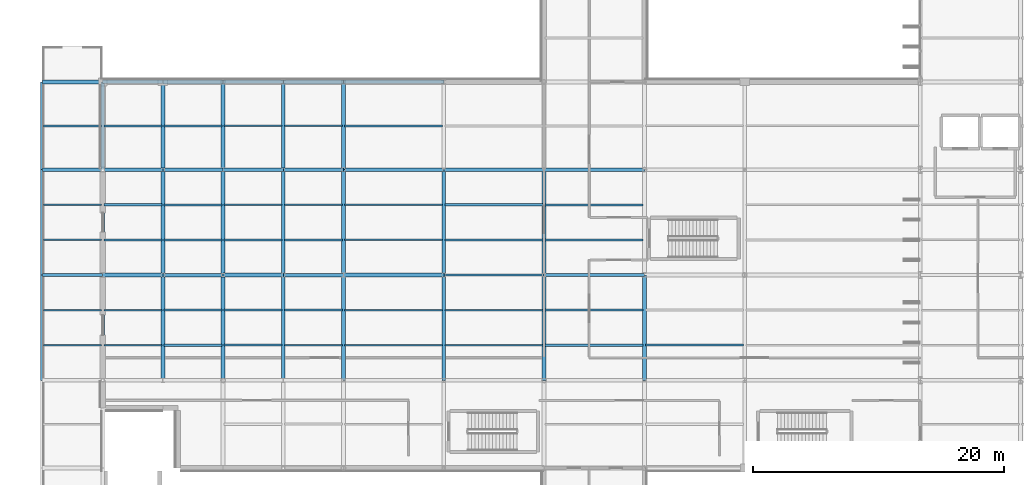
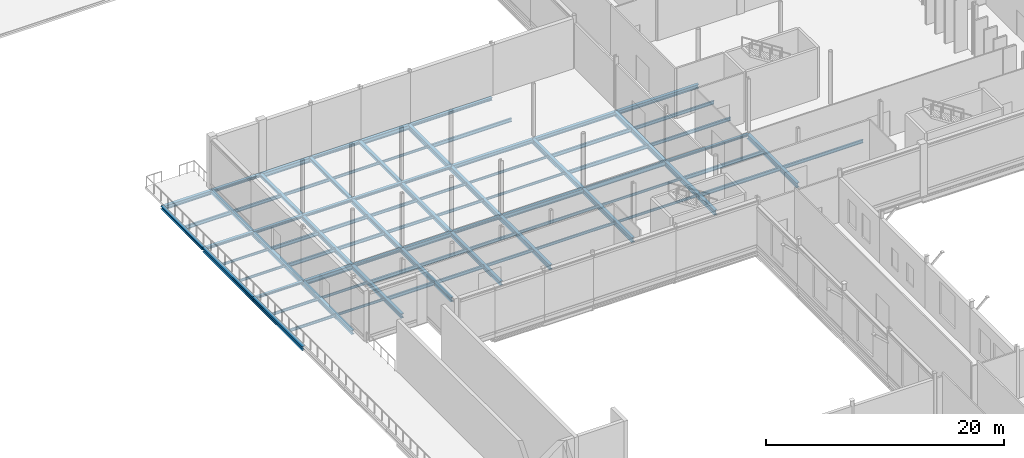
# One storey, part 47 of 147: 84 beams.
"""IFC4 building model written with IfcOpenShell, lengths in metres."""

from ifc_helpers import new_model, si_unit, direction, frame, origin, origin_2d, place, context, subcontext, project, spatial, i_section, extrude, material, material_profile, profile_set, type_object, element, save


model = new_model("IFC4")

# Units and contexts
model_context = context("Model", 3, precision=1e-05, world=origin(), true_north=direction((0.0, 1.0)))
body_context = subcontext(model_context, "Body", "Model", "MODEL_VIEW")
ifc_project = project(units=[si_unit("LENGTHUNIT", "METRE"), si_unit("AREAUNIT", "SQUARE_METRE"), si_unit("VOLUMEUNIT", "CUBIC_METRE"), si_unit("PLANEANGLEUNIT", "RADIAN"), si_unit("MASSUNIT", "GRAM", prefix="KILO")], contexts=[model_context])

# Site, building, storey
site_placement = place(None, origin())
site = spatial("IfcSite", under=ifc_project, at=site_placement, CompositionType="ELEMENT")
building_placement = place(site_placement, origin())
building = spatial("IfcBuilding", under=site, at=building_placement, Name="Vekula Escarpment Museum", CompositionType="ELEMENT")
storey_placement = place(building_placement, frame((0.0, 0.0, 7.800048828125)))
storey = spatial("IfcBuildingStorey", under=building, at=storey_placement, Name="L02", CompositionType="ELEMENT", Elevation=7.800048828125)

# Beams
ifc_material_1 = material(Name="Steel S355", Category="steel")
ifc_material_profile_1 = material_profile(ifc_material_1, i_section(OverallWidth=0.280029296875, OverallDepth=0.280029296875, WebThickness=0.010498046875, FlangeThickness=0.01806640625, FilletRadius=0.02392578125, at=origin_2d()), Name="HEB 280")
ifc_profile_set_1 = profile_set([ifc_material_profile_1], Name="Steel S355")
beam_type_1 = type_object("IfcBeamType", Name="BM-GIRD-HEB280", PredefinedType="BEAM", material=ifc_profile_set_1)
beam_1_placement = place(storey_placement, frame((9.60009765625, 68.0, -0.400146484375), z_axis=(1.0, 0.0, 0.0), x_axis=(0.0, 1.0, 0.0)))
element("IfcBeam", 1, at=beam_1_placement, inside=storey, type_object=beam_type_1, Name="Beam X L02 0889", PredefinedType="BEAM", context=body_context, shape_type="SweptSolid", body=[
    extrude(i_section(OverallWidth=0.280029296875, OverallDepth=0.280029296875, WebThickness=0.010498046875, FlangeThickness=0.01806640625, FilletRadius=0.02392578125, at=origin_2d()), origin(), (0.0, 0.0, 1.0), 4.7998046875),
])
for number, where, z_axis, x_axis, name in (
    (2, (19.199951171875, 68.0, -0.400146484375), (1.0, 0.0, 0.0), (0.0, 1.0, 0.0), "Beam X L02 0891"),
    (3, (4.800048828125, 83.39990234375, -0.400146484375), (1.0, 0.0, 0.0), (0.0, 1.0, 0.0), "Beam X L02 0931"),
    (4, (14.39990234375, 83.39990234375, -0.400146484375), (1.0, 0.0, 0.0), (0.0, 1.0, 0.0), "Beam X L02 0933"),
):
    element("IfcBeam", number, at=place(storey_placement, frame(where, z_axis=z_axis, x_axis=x_axis)), inside=storey, type_object=beam_type_1, Name=name, PredefinedType="BEAM", context=body_context, shape_type="SweptSolid", body=[
        extrude(i_section(OverallWidth=0.280029296875, OverallDepth=0.280029296875, WebThickness=0.010498046875, FlangeThickness=0.01806640625, FilletRadius=0.02392578125, at=origin_2d()), origin(), (0.0, 0.0, 1.0), 4.800048828125),
    ])
beam_2_placement = place(storey_placement, frame((24.0, 83.39990234375, -0.400146484375), z_axis=(1.0, 0.0, 0.0), x_axis=(0.0, 1.0, 0.0)))
element("IfcBeam", 5, at=beam_2_placement, inside=storey, type_object=beam_type_1, Name="Beam X L02 0935", PredefinedType="BEAM", context=body_context, shape_type="SweptSolid", body=[
    extrude(i_section(OverallWidth=0.280029296875, OverallDepth=0.280029296875, WebThickness=0.010498046875, FlangeThickness=0.01806640625, FilletRadius=0.02392578125, at=origin_2d()), origin(), (0.0, 0.0, 1.0), 8.0),
])
ifc_material_2 = material(Name="Steel S355", Category="steel")
ifc_material_profile_2 = material_profile(ifc_material_2, i_section(OverallWidth=0.300048828125, OverallDepth=0.39990234375, WebThickness=0.013427734375, FlangeThickness=0.02392578125, FilletRadius=0.027099609375, at=origin_2d()), Name="HEB 400")
ifc_profile_set_2 = profile_set([ifc_material_profile_2], Name="Steel S355")
beam_type_2 = type_object("IfcBeamType", Name="BM-GIRD-HEB400", PredefinedType="BEAM", material=ifc_profile_set_2)
beam_3_placement = place(storey_placement, frame((0.0, 83.39990234375, -0.4599609375), z_axis=(1.0, 0.0, 0.0), x_axis=(0.0, 1.0, 0.0)))
element("IfcBeam", 6, at=beam_3_placement, inside=storey, type_object=beam_type_2, Name="Beam X L02 0930", PredefinedType="BEAM", context=body_context, shape_type="SweptSolid", body=[
    extrude(i_section(OverallWidth=0.300048828125, OverallDepth=0.39990234375, WebThickness=0.013427734375, FlangeThickness=0.02392578125, FilletRadius=0.027099609375, at=origin_2d()), origin(), (0.0, 0.0, 1.0), 4.800048828125),
])
ifc_material_3 = material(Name="Steel S355", Category="steel")
ifc_material_profile_3 = material_profile(ifc_material_3, i_section(OverallWidth=0.300048828125, OverallDepth=0.449951171875, WebThickness=0.013916015625, FlangeThickness=0.02587890625, FilletRadius=0.027099609375, at=origin_2d()), Name="HEB 450")
ifc_profile_set_3 = profile_set([ifc_material_profile_3], Name="Steel S355")
beam_type_3 = type_object("IfcBeamType", Name="BM-GIRD-HEB450", PredefinedType="BEAM", material=ifc_profile_set_3)
for number, where, z_axis, x_axis, name in (
    (7, (4.800048828125, 68.0, -0.485107421875), (1.0, 0.0, 0.0), (0.0, 1.0, 0.0), "Beam X L02 0888"),
    (8, (14.39990234375, 68.0, -0.485107421875), (1.0, 0.0, 0.0), (0.0, 1.0, 0.0), "Beam X L02 0890"),
):
    element("IfcBeam", number, at=place(storey_placement, frame(where, z_axis=z_axis, x_axis=x_axis)), inside=storey, type_object=beam_type_3, Name=name, PredefinedType="BEAM", context=body_context, shape_type="SweptSolid", body=[
        extrude(i_section(OverallWidth=0.300048828125, OverallDepth=0.449951171875, WebThickness=0.013916015625, FlangeThickness=0.02587890625, FilletRadius=0.027099609375, at=origin_2d()), origin(), (0.0, 0.0, 1.0), 4.800048828125),
    ])
beam_4_placement = place(storey_placement, frame((24.0, 68.0, -0.485107421875), z_axis=(1.0, 0.0, 0.0), x_axis=(0.0, 1.0, 0.0)))
element("IfcBeam", 9, at=beam_4_placement, inside=storey, type_object=beam_type_3, Name="Beam X L02 0892", PredefinedType="BEAM", context=body_context, shape_type="SweptSolid", body=[
    extrude(i_section(OverallWidth=0.300048828125, OverallDepth=0.449951171875, WebThickness=0.013916015625, FlangeThickness=0.02587890625, FilletRadius=0.027099609375, at=origin_2d()), origin(), (0.0, 0.0, 1.0), 8.0),
])
beam_5_placement = place(storey_placement, frame((9.60009765625, 83.39990234375, -0.485107421875), z_axis=(1.0, 0.0, 0.0), x_axis=(0.0, 1.0, 0.0)))
element("IfcBeam", 10, at=beam_5_placement, inside=storey, type_object=beam_type_3, Name="Beam X L02 0932", PredefinedType="BEAM", context=body_context, shape_type="SweptSolid", body=[
    extrude(i_section(OverallWidth=0.300048828125, OverallDepth=0.449951171875, WebThickness=0.013916015625, FlangeThickness=0.02587890625, FilletRadius=0.027099609375, at=origin_2d()), origin(), (0.0, 0.0, 1.0), 4.7998046875),
])
beam_6_placement = place(storey_placement, frame((19.199951171875, 83.39990234375, -0.485107421875), z_axis=(1.0, 0.0, 0.0), x_axis=(0.0, 1.0, 0.0)))
element("IfcBeam", 11, at=beam_6_placement, inside=storey, type_object=beam_type_3, Name="Beam X L02 0934", PredefinedType="BEAM", context=body_context, shape_type="SweptSolid", body=[
    extrude(i_section(OverallWidth=0.300048828125, OverallDepth=0.449951171875, WebThickness=0.013916015625, FlangeThickness=0.02587890625, FilletRadius=0.027099609375, at=origin_2d()), origin(), (0.0, 0.0, 1.0), 4.800048828125),
])
ifc_material_4 = material(Name="Steel S355", Category="steel")
ifc_material_profile_4 = material_profile(ifc_material_4, i_section(OverallWidth=0.300048828125, OverallDepth=0.5, WebThickness=0.014404296875, FlangeThickness=0.028076171875, FilletRadius=0.027099609375, at=origin_2d()), Name="HEB 500")
ifc_profile_set_4 = profile_set([ifc_material_profile_4], Name="Steel S355")
beam_type_4 = type_object("IfcBeamType", Name="BM-GIRD-HEB500", PredefinedType="BEAM", material=ifc_profile_set_4)
for number, where, z_axis, x_axis, name in (
    (12, (24.0, 59.60009765625, -0.510009765625), (0.0, 1.0, 0.0), (-1.0, 0.0, 0.0), "Beam Y L02 1063"),
    (13, (24.0, 68.0, -0.510009765625), (0.0, 1.0, 0.0), (-1.0, 0.0, 0.0), "Beam Y L02 1064"),
):
    element("IfcBeam", number, at=place(storey_placement, frame(where, z_axis=z_axis, x_axis=x_axis)), inside=storey, type_object=beam_type_4, Name=name, PredefinedType="BEAM", context=body_context, shape_type="SweptSolid", body=[
        extrude(i_section(OverallWidth=0.300048828125, OverallDepth=0.5, WebThickness=0.014404296875, FlangeThickness=0.028076171875, FilletRadius=0.027099609375, at=origin_2d()), origin(), (0.0, 0.0, 1.0), 8.39990234375),
    ])
beam_7_placement = place(storey_placement, frame((24.0, 76.39990234375, -0.510009765625), z_axis=(0.0, 1.0, 0.0), x_axis=(-1.0, 0.0, 0.0)))
element("IfcBeam", 14, at=beam_7_placement, inside=storey, type_object=beam_type_4, Name="Beam Y L02 1065", PredefinedType="BEAM", context=body_context, shape_type="SweptSolid", body=[
    extrude(i_section(OverallWidth=0.300048828125, OverallDepth=0.5, WebThickness=0.014404296875, FlangeThickness=0.028076171875, FilletRadius=0.027099609375, at=origin_2d()), origin(), (0.0, 0.0, 1.0), 7.0),
])
for number, where, z_axis, x_axis, name in (
    (15, (32.0, 59.60009765625, -0.510009765625), (0.0, 1.0, 0.0), (-1.0, 0.0, 0.0), "Beam Y L02 1073"),
    (16, (32.0, 68.0, -0.510009765625), (0.0, 1.0, 0.0), (-1.0, 0.0, 0.0), "Beam Y L02 1074"),
    (17, (40.0, 59.60009765625, -0.510009765625), (0.0, 1.0, 0.0), (-1.0, 0.0, 0.0), "Beam Y L02 1087"),
    (18, (40.0, 68.0, -0.510009765625), (0.0, 1.0, 0.0), (-1.0, 0.0, 0.0), "Beam Y L02 1088"),
    (19, (48.0, 59.60009765625, -0.510009765625), (0.0, 1.0, 0.0), (-1.0, 0.0, 0.0), "Beam Y L02 1105"),
):
    element("IfcBeam", number, at=place(storey_placement, frame(where, z_axis=z_axis, x_axis=x_axis)), inside=storey, type_object=beam_type_4, Name=name, PredefinedType="BEAM", context=body_context, shape_type="SweptSolid", body=[
        extrude(i_section(OverallWidth=0.300048828125, OverallDepth=0.5, WebThickness=0.014404296875, FlangeThickness=0.028076171875, FilletRadius=0.027099609375, at=origin_2d()), origin(), (0.0, 0.0, 1.0), 8.39990234375),
    ])
ifc_material_5 = material(Name="Steel S355", Category="steel")
ifc_material_profile_5 = material_profile(ifc_material_5, i_section(OverallWidth=0.18994140625, OverallDepth=0.449951171875, WebThickness=0.009521484375, FlangeThickness=0.0146484375, FilletRadius=0.02099609375, at=origin_2d()), Name="IPE 450")
ifc_profile_set_5 = profile_set([ifc_material_profile_5], Name="Steel S355")
beam_type_5 = type_object("IfcBeamType", Name="BM-GIRD-IPE450", PredefinedType="BEAM", material=ifc_profile_set_5)
beam_8_placement = place(storey_placement, frame((32.0, 68.0, -0.485107421875), z_axis=(1.0, 0.0, 0.0), x_axis=(0.0, 1.0, 0.0)))
element("IfcBeam", 20, at=beam_8_placement, inside=storey, type_object=beam_type_5, Name="Beam X L02 0893", PredefinedType="BEAM", context=body_context, shape_type="SweptSolid", body=[
    extrude(i_section(OverallWidth=0.18994140625, OverallDepth=0.449951171875, WebThickness=0.009521484375, FlangeThickness=0.0146484375, FilletRadius=0.02099609375, at=origin_2d()), origin(), (0.0, 0.0, 1.0), 8.0),
])
ifc_material_6 = material(Name="Steel S355", Category="steel")
ifc_material_profile_6 = material_profile(ifc_material_6, i_section(OverallWidth=0.1201171875, OverallDepth=0.239990234375, WebThickness=0.006103515625, FlangeThickness=0.009765625, FilletRadius=0.014892578125, at=origin_2d()), Name="IPE 240")
ifc_profile_set_6 = profile_set([ifc_material_profile_6], Name="Steel S355")
beam_type_6 = type_object("IfcBeamType", Name="BM-JST-IPE240", PredefinedType="JOIST", material=ifc_profile_set_6)
for number, where, z_axis, x_axis, name in (
    (21, (0.090087890625, 70.800048828125, -0.380126953125), (1.0, 0.0, 0.0), (0.0, 1.0, 0.0), "Secondary Joist L02 0605"),
    (22, (0.090087890625, 73.60009765625, -0.380126953125), (1.0, 0.0, 0.0), (0.0, 1.0, 0.0), "Secondary Joist L02 0606"),
):
    element("IfcBeam", number, at=place(storey_placement, frame(where, z_axis=z_axis, x_axis=x_axis)), inside=storey, type_object=beam_type_6, Name=name, PredefinedType="JOIST", context=body_context, shape_type="SweptSolid", body=[
        extrude(i_section(OverallWidth=0.1201171875, OverallDepth=0.239990234375, WebThickness=0.006103515625, FlangeThickness=0.009765625, FilletRadius=0.014892578125, at=origin_2d()), origin(), (0.0, 0.0, 1.0), 4.619873046875),
    ])
for number, where, z_axis, x_axis, name in (
    (23, (4.889892578125, 62.39990234375, -0.380126953125), (1.0, 0.0, 0.0), (0.0, 1.0, 0.0), "Secondary Joist L02 0612"),
    (24, (4.889892578125, 65.199951171875, -0.380126953125), (1.0, 0.0, 0.0), (0.0, 1.0, 0.0), "Secondary Joist L02 0613"),
):
    element("IfcBeam", number, at=place(storey_placement, frame(where, z_axis=z_axis, x_axis=x_axis)), inside=storey, type_object=beam_type_6, Name=name, PredefinedType="JOIST", context=body_context, shape_type="SweptSolid", body=[
        extrude(i_section(OverallWidth=0.1201171875, OverallDepth=0.239990234375, WebThickness=0.006103515625, FlangeThickness=0.009765625, FilletRadius=0.014892578125, at=origin_2d()), origin(), (0.0, 0.0, 1.0), 4.6201171875),
    ])
beam_9_placement = place(storey_placement, frame((19.2900390625, 79.89990234375, -0.380126953125), z_axis=(1.0, 0.0, 0.0), x_axis=(0.0, 1.0, 0.0)))
element("IfcBeam", 25, at=beam_9_placement, inside=storey, type_object=beam_type_6, Name="Secondary Joist L02 0647", PredefinedType="JOIST", context=body_context, shape_type="SweptSolid", body=[
    extrude(i_section(OverallWidth=0.1201171875, OverallDepth=0.239990234375, WebThickness=0.006103515625, FlangeThickness=0.009765625, FilletRadius=0.014892578125, at=origin_2d()), origin(), (0.0, 0.0, 1.0), 4.619873046875),
])
for number, where, z_axis, x_axis, name in (
    (26, (24.090087890625, 70.800048828125, -0.380126953125), (1.0, 0.0, 0.0), (0.0, 1.0, 0.0), "Secondary Joist L02 0659"),
    (27, (24.090087890625, 73.60009765625, -0.380126953125), (1.0, 0.0, 0.0), (0.0, 1.0, 0.0), "Secondary Joist L02 0660"),
    (28, (32.090087890625, 62.39990234375, -0.380126953125), (1.0, 0.0, 0.0), (0.0, 1.0, 0.0), "Secondary Joist L02 0674"),
    (29, (32.090087890625, 65.199951171875, -0.380126953125), (1.0, 0.0, 0.0), (0.0, 1.0, 0.0), "Secondary Joist L02 0675"),
):
    element("IfcBeam", number, at=place(storey_placement, frame(where, z_axis=z_axis, x_axis=x_axis)), inside=storey, type_object=beam_type_6, Name=name, PredefinedType="JOIST", context=body_context, shape_type="SweptSolid", body=[
        extrude(i_section(OverallWidth=0.1201171875, OverallDepth=0.239990234375, WebThickness=0.006103515625, FlangeThickness=0.009765625, FilletRadius=0.014892578125, at=origin_2d()), origin(), (0.0, 0.0, 1.0), 7.81982421875),
    ])
ifc_material_7 = material(Name="Steel S355", Category="steel")
ifc_material_profile_7 = material_profile(ifc_material_7, i_section(OverallWidth=0.135009765625, OverallDepth=0.27001953125, WebThickness=0.006591796875, FlangeThickness=0.01025390625, FilletRadius=0.014892578125, at=origin_2d()), Name="IPE 270")
ifc_profile_set_7 = profile_set([ifc_material_profile_7], Name="Steel S355")
beam_type_7 = type_object("IfcBeamType", Name="BM-JST-IPE270", PredefinedType="JOIST", material=ifc_profile_set_7)
for number, where, z_axis, x_axis, name in (
    (30, (0.090087890625, 62.39990234375, -0.39501953125), (1.0, 0.0, 0.0), (0.0, 1.0, 0.0), "Secondary Joist L02 0603"),
    (31, (0.090087890625, 65.199951171875, -0.39501953125), (1.0, 0.0, 0.0), (0.0, 1.0, 0.0), "Secondary Joist L02 0604"),
):
    element("IfcBeam", number, at=place(storey_placement, frame(where, z_axis=z_axis, x_axis=x_axis)), inside=storey, type_object=beam_type_7, Name=name, PredefinedType="JOIST", context=body_context, shape_type="SweptSolid", body=[
        extrude(i_section(OverallWidth=0.135009765625, OverallDepth=0.27001953125, WebThickness=0.006591796875, FlangeThickness=0.01025390625, FilletRadius=0.014892578125, at=origin_2d()), origin(), (0.0, 0.0, 1.0), 4.619873046875),
    ])
beam_10_placement = place(storey_placement, frame((14.489990234375, 79.89990234375, -0.39501953125), z_axis=(1.0, 0.0, 0.0), x_axis=(0.0, 1.0, 0.0)))
element("IfcBeam", 32, at=beam_10_placement, inside=storey, type_object=beam_type_7, Name="Secondary Joist L02 0637", PredefinedType="JOIST", context=body_context, shape_type="SweptSolid", body=[
    extrude(i_section(OverallWidth=0.135009765625, OverallDepth=0.27001953125, WebThickness=0.006591796875, FlangeThickness=0.01025390625, FilletRadius=0.014892578125, at=origin_2d()), origin(), (0.0, 0.0, 1.0), 4.6201171875),
])
for number, where, z_axis, x_axis, name in (
    (33, (19.2900390625, 70.800048828125, -0.39501953125), (1.0, 0.0, 0.0), (0.0, 1.0, 0.0), "Secondary Joist L02 0645"),
    (34, (19.2900390625, 73.60009765625, -0.39501953125), (1.0, 0.0, 0.0), (0.0, 1.0, 0.0), "Secondary Joist L02 0646"),
):
    element("IfcBeam", number, at=place(storey_placement, frame(where, z_axis=z_axis, x_axis=x_axis)), inside=storey, type_object=beam_type_7, Name=name, PredefinedType="JOIST", context=body_context, shape_type="SweptSolid", body=[
        extrude(i_section(OverallWidth=0.135009765625, OverallDepth=0.27001953125, WebThickness=0.006591796875, FlangeThickness=0.01025390625, FilletRadius=0.014892578125, at=origin_2d()), origin(), (0.0, 0.0, 1.0), 4.619873046875),
    ])
for number, where, z_axis, x_axis, name in (
    (35, (24.090087890625, 62.39990234375, -0.39501953125), (1.0, 0.0, 0.0), (0.0, 1.0, 0.0), "Secondary Joist L02 0657"),
    (36, (24.090087890625, 65.199951171875, -0.39501953125), (1.0, 0.0, 0.0), (0.0, 1.0, 0.0), "Secondary Joist L02 0658"),
):
    element("IfcBeam", number, at=place(storey_placement, frame(where, z_axis=z_axis, x_axis=x_axis)), inside=storey, type_object=beam_type_7, Name=name, PredefinedType="JOIST", context=body_context, shape_type="SweptSolid", body=[
        extrude(i_section(OverallWidth=0.135009765625, OverallDepth=0.27001953125, WebThickness=0.006591796875, FlangeThickness=0.01025390625, FilletRadius=0.014892578125, at=origin_2d()), origin(), (0.0, 0.0, 1.0), 7.81982421875),
    ])
ifc_material_8 = material(Name="Steel S355", Category="steel")
ifc_material_profile_8 = material_profile(ifc_material_8, i_section(OverallWidth=0.14990234375, OverallDepth=0.300048828125, WebThickness=0.007080078125, FlangeThickness=0.0107421875, FilletRadius=0.014892578125, at=origin_2d()), Name="IPE 300")
ifc_profile_set_8 = profile_set([ifc_material_profile_8], Name="Steel S355")
beam_type_8 = type_object("IfcBeamType", Name="BM-JST-IPE300", PredefinedType="JOIST", material=ifc_profile_set_8)
for number, where, z_axis, x_axis, name in (
    (37, (9.68994140625, 79.89990234375, -0.41015625), (1.0, 0.0, 0.0), (0.0, 1.0, 0.0), "Secondary Joist L02 0625"),
    (38, (14.489990234375, 70.800048828125, -0.41015625), (1.0, 0.0, 0.0), (0.0, 1.0, 0.0), "Secondary Joist L02 0635"),
    (39, (14.489990234375, 73.60009765625, -0.41015625), (1.0, 0.0, 0.0), (0.0, 1.0, 0.0), "Secondary Joist L02 0636"),
):
    element("IfcBeam", number, at=place(storey_placement, frame(where, z_axis=z_axis, x_axis=x_axis)), inside=storey, type_object=beam_type_8, Name=name, PredefinedType="JOIST", context=body_context, shape_type="SweptSolid", body=[
        extrude(i_section(OverallWidth=0.14990234375, OverallDepth=0.300048828125, WebThickness=0.007080078125, FlangeThickness=0.0107421875, FilletRadius=0.014892578125, at=origin_2d()), origin(), (0.0, 0.0, 1.0), 4.6201171875),
    ])
for number, where, z_axis, x_axis, name in (
    (40, (19.2900390625, 62.39990234375, -0.41015625), (1.0, 0.0, 0.0), (0.0, 1.0, 0.0), "Secondary Joist L02 0643"),
    (41, (19.2900390625, 65.199951171875, -0.41015625), (1.0, 0.0, 0.0), (0.0, 1.0, 0.0), "Secondary Joist L02 0644"),
):
    element("IfcBeam", number, at=place(storey_placement, frame(where, z_axis=z_axis, x_axis=x_axis)), inside=storey, type_object=beam_type_8, Name=name, PredefinedType="JOIST", context=body_context, shape_type="SweptSolid", body=[
        extrude(i_section(OverallWidth=0.14990234375, OverallDepth=0.300048828125, WebThickness=0.007080078125, FlangeThickness=0.0107421875, FilletRadius=0.014892578125, at=origin_2d()), origin(), (0.0, 0.0, 1.0), 4.619873046875),
    ])
ifc_material_9 = material(Name="Steel S355", Category="steel")
ifc_material_profile_9 = material_profile(ifc_material_9, i_section(OverallWidth=0.159912109375, OverallDepth=0.330078125, WebThickness=0.007568359375, FlangeThickness=0.011474609375, FilletRadius=0.01806640625, at=origin_2d()), Name="IPE 330")
ifc_profile_set_9 = profile_set([ifc_material_profile_9], Name="Steel S355")
beam_type_9 = type_object("IfcBeamType", Name="BM-JST-IPE330", PredefinedType="JOIST", material=ifc_profile_set_9)
for number, where, z_axis, x_axis, name in (
    (42, (4.889892578125, 79.89990234375, -0.425048828125), (1.0, 0.0, 0.0), (0.0, 1.0, 0.0), "Secondary Joist L02 0616"),
    (43, (9.68994140625, 70.800048828125, -0.425048828125), (1.0, 0.0, 0.0), (0.0, 1.0, 0.0), "Secondary Joist L02 0623"),
    (44, (9.68994140625, 73.60009765625, -0.425048828125), (1.0, 0.0, 0.0), (0.0, 1.0, 0.0), "Secondary Joist L02 0624"),
    (45, (14.489990234375, 62.39990234375, -0.425048828125), (1.0, 0.0, 0.0), (0.0, 1.0, 0.0), "Secondary Joist L02 0633"),
    (46, (14.489990234375, 65.199951171875, -0.425048828125), (1.0, 0.0, 0.0), (0.0, 1.0, 0.0), "Secondary Joist L02 0634"),
):
    element("IfcBeam", number, at=place(storey_placement, frame(where, z_axis=z_axis, x_axis=x_axis)), inside=storey, type_object=beam_type_9, Name=name, PredefinedType="JOIST", context=body_context, shape_type="SweptSolid", body=[
        extrude(i_section(OverallWidth=0.159912109375, OverallDepth=0.330078125, WebThickness=0.007568359375, FlangeThickness=0.011474609375, FilletRadius=0.01806640625, at=origin_2d()), origin(), (0.0, 0.0, 1.0), 4.6201171875),
    ])
for number, where, z_axis, x_axis, name in (
    (47, (40.090087890625, 70.800048828125, -0.425048828125), (1.0, 0.0, 0.0), (0.0, 1.0, 0.0), "Secondary Joist L02 0699"),
    (48, (40.090087890625, 73.60009765625, -0.425048828125), (1.0, 0.0, 0.0), (0.0, 1.0, 0.0), "Secondary Joist L02 0700"),
    (49, (48.090087890625, 62.39990234375, -0.425048828125), (1.0, 0.0, 0.0), (0.0, 1.0, 0.0), "Secondary Joist L02 0720"),
):
    element("IfcBeam", number, at=place(storey_placement, frame(where, z_axis=z_axis, x_axis=x_axis)), inside=storey, type_object=beam_type_9, Name=name, PredefinedType="JOIST", context=body_context, shape_type="SweptSolid", body=[
        extrude(i_section(OverallWidth=0.159912109375, OverallDepth=0.330078125, WebThickness=0.007568359375, FlangeThickness=0.011474609375, FilletRadius=0.01806640625, at=origin_2d()), origin(), (0.0, 0.0, 1.0), 7.81982421875),
    ])
ifc_material_10 = material(Name="Steel S355", Category="steel")
ifc_material_profile_10 = material_profile(ifc_material_10, i_section(OverallWidth=0.169921875, OverallDepth=0.360107421875, WebThickness=0.008056640625, FlangeThickness=0.0126953125, FilletRadius=0.01806640625, at=origin_2d()), Name="IPE 360")
ifc_profile_set_10 = profile_set([ifc_material_profile_10], Name="Steel S355")
beam_type_10 = type_object("IfcBeamType", Name="BM-JST-IPE360", PredefinedType="JOIST", material=ifc_profile_set_10)
beam_11_placement = place(storey_placement, frame((0.090087890625, 79.89990234375, -0.43994140625), z_axis=(1.0, 0.0, 0.0), x_axis=(0.0, 1.0, 0.0)))
element("IfcBeam", 50, at=beam_11_placement, inside=storey, type_object=beam_type_10, Name="Secondary Joist L02 0607", PredefinedType="JOIST", context=body_context, shape_type="SweptSolid", body=[
    extrude(i_section(OverallWidth=0.169921875, OverallDepth=0.360107421875, WebThickness=0.008056640625, FlangeThickness=0.0126953125, FilletRadius=0.01806640625, at=origin_2d()), origin(), (0.0, 0.0, 1.0), 4.619873046875),
])
for number, where, z_axis, x_axis, name in (
    (51, (4.889892578125, 70.800048828125, -0.43994140625), (1.0, 0.0, 0.0), (0.0, 1.0, 0.0), "Secondary Joist L02 0614"),
    (52, (4.889892578125, 73.60009765625, -0.43994140625), (1.0, 0.0, 0.0), (0.0, 1.0, 0.0), "Secondary Joist L02 0615"),
    (53, (9.68994140625, 62.39990234375, -0.43994140625), (1.0, 0.0, 0.0), (0.0, 1.0, 0.0), "Secondary Joist L02 0621"),
    (54, (9.68994140625, 65.199951171875, -0.43994140625), (1.0, 0.0, 0.0), (0.0, 1.0, 0.0), "Secondary Joist L02 0622"),
):
    element("IfcBeam", number, at=place(storey_placement, frame(where, z_axis=z_axis, x_axis=x_axis)), inside=storey, type_object=beam_type_10, Name=name, PredefinedType="JOIST", context=body_context, shape_type="SweptSolid", body=[
        extrude(i_section(OverallWidth=0.169921875, OverallDepth=0.360107421875, WebThickness=0.008056640625, FlangeThickness=0.0126953125, FilletRadius=0.01806640625, at=origin_2d()), origin(), (0.0, 0.0, 1.0), 4.6201171875),
    ])
for number, where, z_axis, x_axis, name in (
    (55, (24.090087890625, 79.89990234375, -0.43994140625), (1.0, 0.0, 0.0), (0.0, 1.0, 0.0), "Secondary Joist L02 0661"),
    (56, (32.090087890625, 70.800048828125, -0.43994140625), (1.0, 0.0, 0.0), (0.0, 1.0, 0.0), "Secondary Joist L02 0676"),
    (57, (32.090087890625, 73.60009765625, -0.43994140625), (1.0, 0.0, 0.0), (0.0, 1.0, 0.0), "Secondary Joist L02 0677"),
    (58, (40.090087890625, 62.39990234375, -0.43994140625), (1.0, 0.0, 0.0), (0.0, 1.0, 0.0), "Secondary Joist L02 0697"),
    (59, (40.090087890625, 65.199951171875, -0.43994140625), (1.0, 0.0, 0.0), (0.0, 1.0, 0.0), "Secondary Joist L02 0698"),
):
    element("IfcBeam", number, at=place(storey_placement, frame(where, z_axis=z_axis, x_axis=x_axis)), inside=storey, type_object=beam_type_10, Name=name, PredefinedType="JOIST", context=body_context, shape_type="SweptSolid", body=[
        extrude(i_section(OverallWidth=0.169921875, OverallDepth=0.360107421875, WebThickness=0.008056640625, FlangeThickness=0.0126953125, FilletRadius=0.01806640625, at=origin_2d()), origin(), (0.0, 0.0, 1.0), 7.81982421875),
    ])
ifc_material_11 = material(Name="Steel S355", Category="steel")
ifc_material_profile_11 = material_profile(ifc_material_11, i_section(OverallWidth=0.239990234375, OverallDepth=0.22998046875, WebThickness=0.007568359375, FlangeThickness=0.011962890625, FilletRadius=0.02099609375, at=origin_2d()), Name="HEA 240")
ifc_profile_set_11 = profile_set([ifc_material_profile_11], Name="Steel S355")
beam_type_11 = type_object("IfcBeamType", Name="BM-SPAN-HEA240", PredefinedType="SPANDREL", material=ifc_profile_set_11)
beam_12_placement = place(storey_placement, frame((0.0, 68.0, -0.375), z_axis=(1.0, 0.0, 0.0), x_axis=(0.0, 1.0, 0.0)))
element("IfcBeam", 60, at=beam_12_placement, inside=storey, type_object=beam_type_11, Name="Beam X L02 0887", PredefinedType="SPANDREL", context=body_context, shape_type="SweptSolid", body=[
    extrude(i_section(OverallWidth=0.239990234375, OverallDepth=0.22998046875, WebThickness=0.007568359375, FlangeThickness=0.011962890625, FilletRadius=0.02099609375, at=origin_2d()), origin(), (0.0, 0.0, 1.0), 4.800048828125),
])
beam_13_placement = place(storey_placement, frame((40.0, 68.0, -0.375), z_axis=(1.0, 0.0, 0.0), x_axis=(0.0, 1.0, 0.0)))
element("IfcBeam", 61, at=beam_13_placement, inside=storey, type_object=beam_type_11, Name="Beam X L02 0894", PredefinedType="SPANDREL", context=body_context, shape_type="SweptSolid", body=[
    extrude(i_section(OverallWidth=0.239990234375, OverallDepth=0.22998046875, WebThickness=0.007568359375, FlangeThickness=0.011962890625, FilletRadius=0.02099609375, at=origin_2d()), origin(), (0.0, 0.0, 1.0), 8.0),
])
ifc_material_12 = material(Name="Steel S355", Category="steel")
ifc_material_profile_12 = material_profile(ifc_material_12, i_section(OverallWidth=0.280029296875, OverallDepth=0.27001953125, WebThickness=0.008056640625, FlangeThickness=0.012939453125, FilletRadius=0.02392578125, at=origin_2d()), Name="HEA 280")
ifc_profile_set_12 = profile_set([ifc_material_profile_12], Name="Steel S355")
beam_type_12 = type_object("IfcBeamType", Name="BM-SPAN-HEA280", PredefinedType="SPANDREL", material=ifc_profile_set_12)
for number, where, z_axis, x_axis, name in (
    (62, (0.0, 76.39990234375, -0.39501953125), (1.0, 0.0, 0.0), (0.0, 1.0, 0.0), "Beam X L02 0907"),
    (63, (4.800048828125, 76.39990234375, -0.39501953125), (1.0, 0.0, 0.0), (0.0, 1.0, 0.0), "Beam X L02 0908"),
):
    element("IfcBeam", number, at=place(storey_placement, frame(where, z_axis=z_axis, x_axis=x_axis)), inside=storey, type_object=beam_type_12, Name=name, PredefinedType="SPANDREL", context=body_context, shape_type="SweptSolid", body=[
        extrude(i_section(OverallWidth=0.280029296875, OverallDepth=0.27001953125, WebThickness=0.008056640625, FlangeThickness=0.012939453125, FilletRadius=0.02392578125, at=origin_2d()), origin(), (0.0, 0.0, 1.0), 4.800048828125),
    ])
beam_14_placement = place(storey_placement, frame((9.60009765625, 76.39990234375, -0.39501953125), z_axis=(1.0, 0.0, 0.0), x_axis=(0.0, 1.0, 0.0)))
element("IfcBeam", 64, at=beam_14_placement, inside=storey, type_object=beam_type_12, Name="Beam X L02 0909", PredefinedType="SPANDREL", context=body_context, shape_type="SweptSolid", body=[
    extrude(i_section(OverallWidth=0.280029296875, OverallDepth=0.27001953125, WebThickness=0.008056640625, FlangeThickness=0.012939453125, FilletRadius=0.02392578125, at=origin_2d()), origin(), (0.0, 0.0, 1.0), 4.7998046875),
])
for number, where, z_axis, x_axis, name in (
    (65, (14.39990234375, 76.39990234375, -0.39501953125), (1.0, 0.0, 0.0), (0.0, 1.0, 0.0), "Beam X L02 0910"),
    (66, (19.199951171875, 76.39990234375, -0.39501953125), (1.0, 0.0, 0.0), (0.0, 1.0, 0.0), "Beam X L02 0911"),
):
    element("IfcBeam", number, at=place(storey_placement, frame(where, z_axis=z_axis, x_axis=x_axis)), inside=storey, type_object=beam_type_12, Name=name, PredefinedType="SPANDREL", context=body_context, shape_type="SweptSolid", body=[
        extrude(i_section(OverallWidth=0.280029296875, OverallDepth=0.27001953125, WebThickness=0.008056640625, FlangeThickness=0.012939453125, FilletRadius=0.02392578125, at=origin_2d()), origin(), (0.0, 0.0, 1.0), 4.800048828125),
    ])
ifc_material_13 = material(Name="Steel S355", Category="steel")
ifc_material_profile_13 = material_profile(ifc_material_13, i_section(OverallWidth=0.300048828125, OverallDepth=0.2900390625, WebThickness=0.008544921875, FlangeThickness=0.013916015625, FilletRadius=0.027099609375, at=origin_2d()), Name="HEA 300")
ifc_profile_set_13 = profile_set([ifc_material_profile_13], Name="Steel S355")
beam_type_13 = type_object("IfcBeamType", Name="BM-SPAN-HEA300", PredefinedType="SPANDREL", material=ifc_profile_set_13)
for number, where, z_axis, x_axis, name in (
    (67, (0.0, 76.39990234375, -0.364990234375), (0.0, 1.0, 0.0), (-1.0, 0.0, 0.0), "Beam Y L02 1028"),
    (68, (4.800048828125, 76.39990234375, -0.405029296875), (0.0, 1.0, 0.0), (-1.0, 0.0, 0.0), "Beam Y L02 1038"),
    (69, (9.60009765625, 76.39990234375, -0.405029296875), (0.0, 1.0, 0.0), (-1.0, 0.0, 0.0), "Beam Y L02 1043"),
    (70, (14.39990234375, 76.39990234375, -0.405029296875), (0.0, 1.0, 0.0), (-1.0, 0.0, 0.0), "Beam Y L02 1050"),
    (71, (19.199951171875, 76.39990234375, -0.405029296875), (0.0, 1.0, 0.0), (-1.0, 0.0, 0.0), "Beam Y L02 1057"),
):
    element("IfcBeam", number, at=place(storey_placement, frame(where, z_axis=z_axis, x_axis=x_axis)), inside=storey, type_object=beam_type_13, Name=name, PredefinedType="SPANDREL", context=body_context, shape_type="SweptSolid", body=[
        extrude(i_section(OverallWidth=0.300048828125, OverallDepth=0.2900390625, WebThickness=0.008544921875, FlangeThickness=0.013916015625, FilletRadius=0.027099609375, at=origin_2d()), origin(), (0.0, 0.0, 1.0), 7.0),
    ])
ifc_material_14 = material(Name="Steel S355", Category="steel")
ifc_material_profile_14 = material_profile(ifc_material_14, i_section(OverallWidth=0.300048828125, OverallDepth=0.389892578125, WebThickness=0.010986328125, FlangeThickness=0.01904296875, FilletRadius=0.027099609375, at=origin_2d()), Name="HEA 400")
ifc_profile_set_14 = profile_set([ifc_material_profile_14], Name="Steel S355")
beam_type_14 = type_object("IfcBeamType", Name="BM-SPAN-HEA400", PredefinedType="SPANDREL", material=ifc_profile_set_14)
for number, where, z_axis, x_axis, name in (
    (72, (24.0, 76.39990234375, -0.455078125), (1.0, 0.0, 0.0), (0.0, 1.0, 0.0), "Beam X L02 0912"),
    (73, (32.0, 76.39990234375, -0.455078125), (1.0, 0.0, 0.0), (0.0, 1.0, 0.0), "Beam X L02 0913"),
    (74, (40.0, 76.39990234375, -0.455078125), (1.0, 0.0, 0.0), (0.0, 1.0, 0.0), "Beam X L02 0914"),
):
    element("IfcBeam", number, at=place(storey_placement, frame(where, z_axis=z_axis, x_axis=x_axis)), inside=storey, type_object=beam_type_14, Name=name, PredefinedType="SPANDREL", context=body_context, shape_type="SweptSolid", body=[
        extrude(i_section(OverallWidth=0.300048828125, OverallDepth=0.389892578125, WebThickness=0.010986328125, FlangeThickness=0.01904296875, FilletRadius=0.027099609375, at=origin_2d()), origin(), (0.0, 0.0, 1.0), 8.0),
    ])
ifc_material_15 = material(Name="Steel S355", Category="steel")
ifc_material_profile_15 = material_profile(ifc_material_15, i_section(OverallWidth=0.300048828125, OverallDepth=0.43994140625, WebThickness=0.011474609375, FlangeThickness=0.02099609375, FilletRadius=0.027099609375, at=origin_2d()), Name="HEA 450")
ifc_profile_set_15 = profile_set([ifc_material_profile_15], Name="Steel S355")
beam_type_15 = type_object("IfcBeamType", Name="BM-SPAN-HEA450", PredefinedType="SPANDREL", material=ifc_profile_set_15)
for number, where, z_axis, x_axis, name in (
    (75, (0.0, 59.60009765625, -0.43994140625), (0.0, 1.0, 0.0), (-1.0, 0.0, 0.0), "Beam Y L02 1026"),
    (76, (0.0, 68.0, -0.43994140625), (0.0, 1.0, 0.0), (-1.0, 0.0, 0.0), "Beam Y L02 1027"),
    (77, (4.800048828125, 59.60009765625, -0.47998046875), (0.0, 1.0, 0.0), (-1.0, 0.0, 0.0), "Beam Y L02 1036"),
    (78, (4.800048828125, 68.0, -0.47998046875), (0.0, 1.0, 0.0), (-1.0, 0.0, 0.0), "Beam Y L02 1037"),
    (79, (9.60009765625, 59.60009765625, -0.47998046875), (0.0, 1.0, 0.0), (-1.0, 0.0, 0.0), "Beam Y L02 1041"),
    (80, (9.60009765625, 68.0, -0.47998046875), (0.0, 1.0, 0.0), (-1.0, 0.0, 0.0), "Beam Y L02 1042"),
    (81, (14.39990234375, 59.60009765625, -0.47998046875), (0.0, 1.0, 0.0), (-1.0, 0.0, 0.0), "Beam Y L02 1048"),
    (82, (14.39990234375, 68.0, -0.47998046875), (0.0, 1.0, 0.0), (-1.0, 0.0, 0.0), "Beam Y L02 1049"),
    (83, (19.199951171875, 59.60009765625, -0.47998046875), (0.0, 1.0, 0.0), (-1.0, 0.0, 0.0), "Beam Y L02 1055"),
    (84, (19.199951171875, 68.0, -0.47998046875), (0.0, 1.0, 0.0), (-1.0, 0.0, 0.0), "Beam Y L02 1056"),
):
    element("IfcBeam", number, at=place(storey_placement, frame(where, z_axis=z_axis, x_axis=x_axis)), inside=storey, type_object=beam_type_15, Name=name, PredefinedType="SPANDREL", context=body_context, shape_type="SweptSolid", body=[
        extrude(i_section(OverallWidth=0.300048828125, OverallDepth=0.43994140625, WebThickness=0.011474609375, FlangeThickness=0.02099609375, FilletRadius=0.027099609375, at=origin_2d()), origin(), (0.0, 0.0, 1.0), 8.39990234375),
    ])

save(model, "model.ifc")
